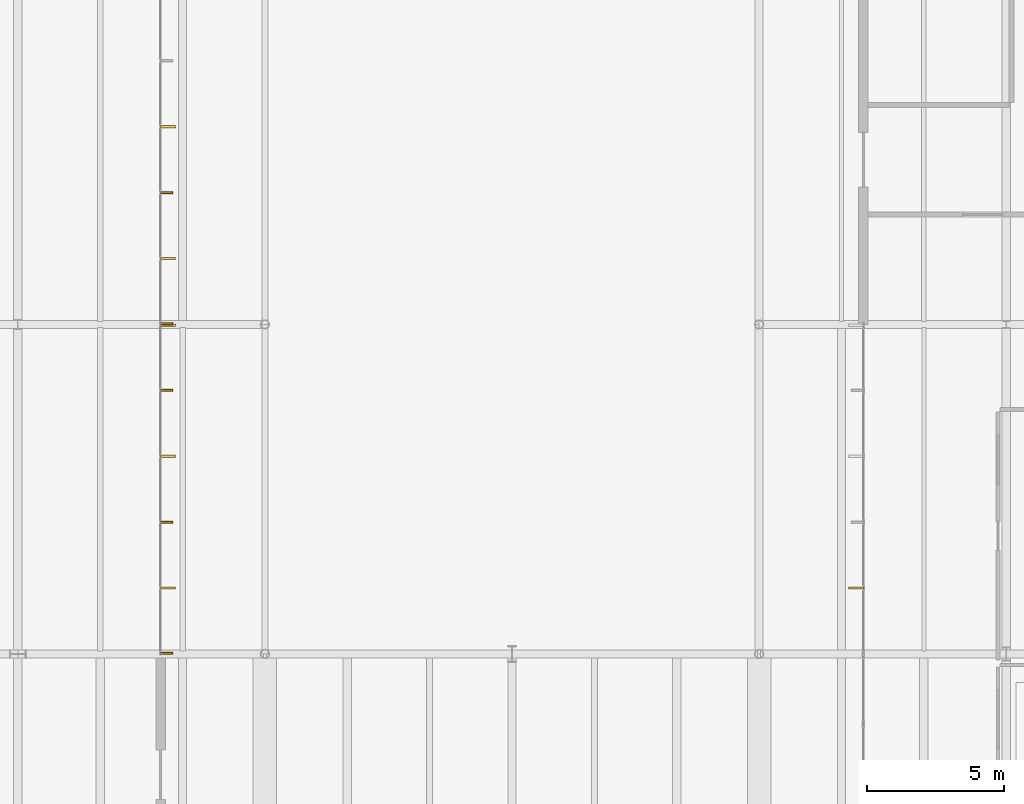
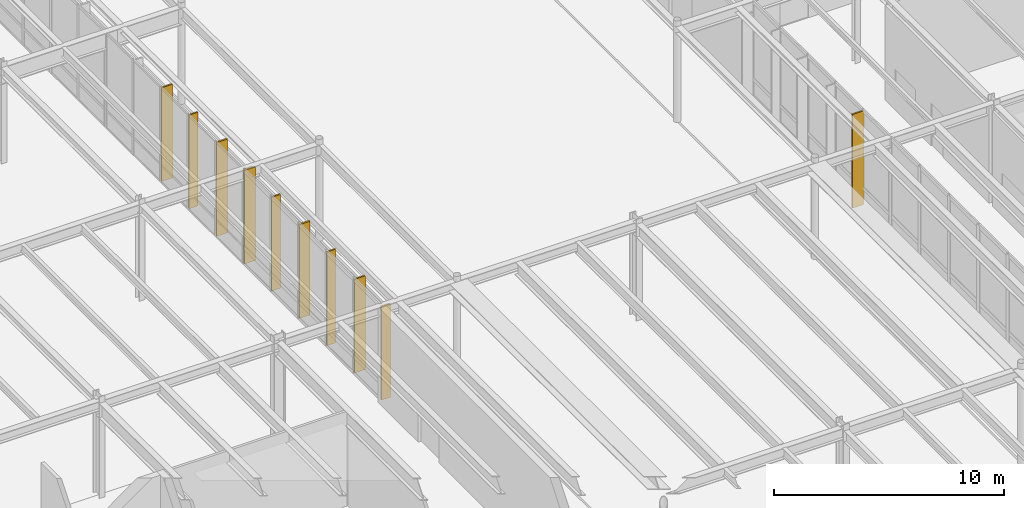
# One storey, part 136 of 143: 11 shading devices.
"""IFC4 building model written with IfcOpenShell, lengths in metres."""

from ifc_helpers import new_model, si_unit, direction, frame, origin, origin_2d, place, context, subcontext, project, spatial, rectangle, extrude, material, layer, layer_set, type_object, element, save


model = new_model("IFC4")

# Units and contexts
model_context = context("Model", 3, precision=1e-05, world=origin(), true_north=direction((0.0, 1.0)))
body_context = subcontext(model_context, "Body", "Model", "MODEL_VIEW")
ifc_project = project(units=[si_unit("LENGTHUNIT", "METRE"), si_unit("AREAUNIT", "SQUARE_METRE"), si_unit("VOLUMEUNIT", "CUBIC_METRE"), si_unit("PLANEANGLEUNIT", "RADIAN"), si_unit("MASSUNIT", "GRAM", prefix="KILO")], contexts=[model_context])

# Site, building, storey
site_placement = place(None, origin())
site = spatial("IfcSite", under=ifc_project, at=site_placement, CompositionType="ELEMENT")
building_placement = place(site_placement, origin())
building = spatial("IfcBuilding", under=site, at=building_placement, Name="Montelvaro Courts of Justice", CompositionType="ELEMENT")
storey_placement = place(building_placement, origin())
storey = spatial("IfcBuildingStorey", under=building, at=storey_placement, Name="L00", CompositionType="ELEMENT", Elevation=0.0)

# Shading devices
ifc_material = material(Name="Champagne anodised aluminium EN AW-6063", Category="aluminium")
ifc_layer_1 = layer(ifc_material, 0.080078125)
ifc_layer_set_1 = layer_set([ifc_layer_1], Name="Champagne anodised aluminium EN AW-6063")
shading_device_type_1 = type_object("IfcShadingDeviceType", Name="SolarFin_Champagne", PredefinedType="JALOUSIE", material=ifc_layer_set_1)
for number, where, z_axis, x_axis, name in (
    (1, (77.47509765625, 44.39990234375, 0.050048828125), (0.0, 0.0, 1.0), (0.0, 1.0, 0.0), "Solar Brise-Soleil Fin SH-01 CW-044"),
    (2, (77.47509765625, 49.199951171875, 0.050048828125), (0.0, 0.0, 1.0), (0.0, 1.0, 0.0), "Solar Brise-Soleil Fin SH-01 CW-046"),
    (3, (77.47509765625, 53.969970703125, 0.050048828125), (0.0, 0.0, 1.0), (0.0, 1.0, 0.0), "Solar Brise-Soleil Fin SH-01 CW-048"),
    (4, (77.47509765625, 56.39990234375, 0.050048828125), (0.0, 0.0, 1.0), (0.0, 1.0, 0.0), "Solar Brise-Soleil Fin SH-01 CW-050"),
    (5, (77.47509765625, 61.199951171875, 0.050048828125), (0.0, 0.0, 1.0), (0.0, 1.0, 0.0), "Solar Brise-Soleil Fin SH-01 CW-052"),
    (6, (102.52490234375, 44.39990234375, 0.050048828125), (0.0, 0.0, 1.0), (0.0, -1.0, 0.0), "Solar Brise-Soleil Fin SH-01 CW-084"),
):
    element("IfcShadingDevice", number, at=place(storey_placement, frame(where, z_axis=z_axis, x_axis=x_axis)), inside=storey, type_object=shading_device_type_1, Name=name, PredefinedType="JALOUSIE", context=body_context, shape_type="SweptSolid", body=[
        extrude(rectangle(XDim=0.080078125, YDim=0.550048828125, at=origin_2d()), origin(), (0.0, 0.0, 1.0), 4.97998046875),
    ])
ifc_layer_2 = layer(ifc_material, 0.070068359375)
ifc_layer_set_2 = layer_set([ifc_layer_2], Name="Champagne anodised aluminium EN AW-6063")
shading_device_type_2 = type_object("IfcShadingDeviceType", Name="SolarLouvre_Mediterranean", PredefinedType="SHUTTER", material=ifc_layer_set_2)
for number, where, z_axis, x_axis, name in (
    (7, (77.425048828125, 42.030029296875, 0.050048828125), (0.0, 0.0, 1.0), (0.0, 1.0, 0.0), "Solar Brise-Soleil Fin SH-02 CW-043"),
    (8, (77.425048828125, 46.800048828125, 0.050048828125), (0.0, 0.0, 1.0), (0.0, 1.0, 0.0), "Solar Brise-Soleil Fin SH-02 CW-045"),
    (9, (77.425048828125, 51.60009765625, 0.050048828125), (0.0, 0.0, 1.0), (0.0, 1.0, 0.0), "Solar Brise-Soleil Fin SH-02 CW-047"),
    (10, (77.425048828125, 54.030029296875, 0.050048828125), (0.0, 0.0, 1.0), (0.0, 1.0, 0.0), "Solar Brise-Soleil Fin SH-02 CW-049"),
    (11, (77.425048828125, 58.800048828125, 0.050048828125), (0.0, 0.0, 1.0), (0.0, 1.0, 0.0), "Solar Brise-Soleil Fin SH-02 CW-051"),
):
    element("IfcShadingDevice", number, at=place(storey_placement, frame(where, z_axis=z_axis, x_axis=x_axis)), inside=storey, type_object=shading_device_type_2, Name=name, PredefinedType="SHUTTER", context=body_context, shape_type="SweptSolid", body=[
        extrude(rectangle(XDim=0.070068359375, YDim=0.449951171875, at=origin_2d()), origin(), (0.0, 0.0, 1.0), 4.97998046875),
    ])

save(model, "model.ifc")
